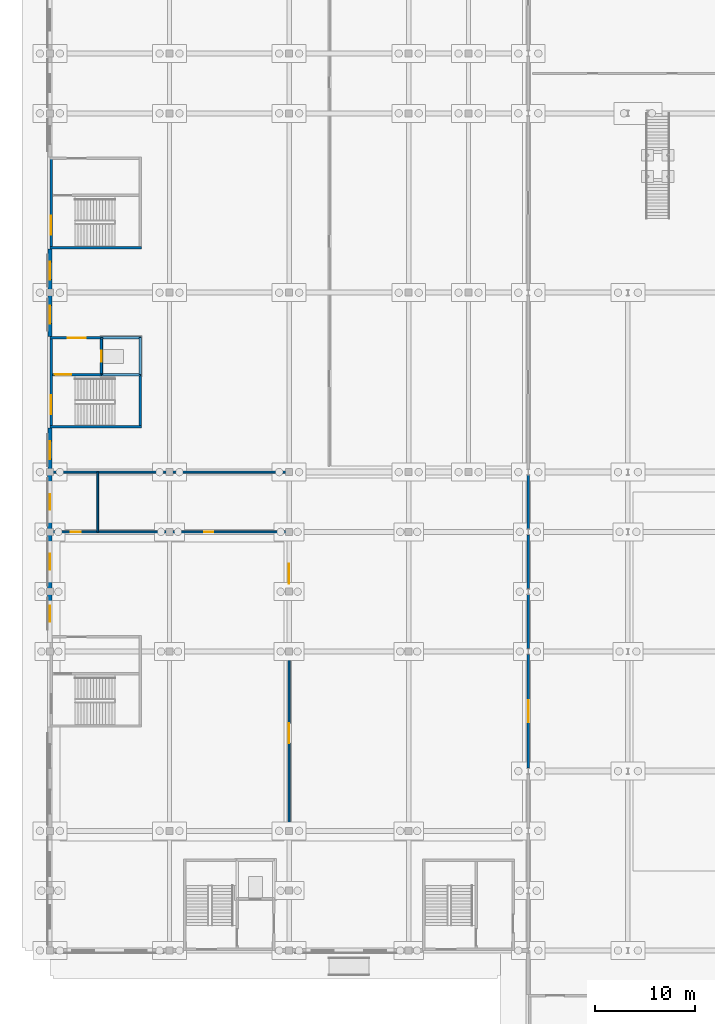
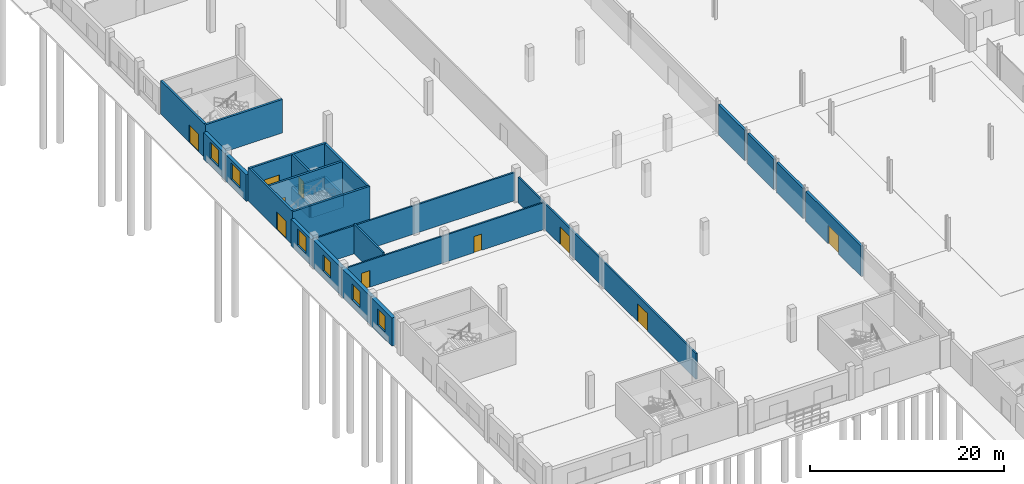
# One storey, part 55 of 77: 26 walls, 10 doors, 6 windows, 16 openings.
"""IFC4 building model written with IfcOpenShell, lengths in metres."""

from ifc_helpers import new_model, si_unit, direction, frame, frame_2d, origin, place, context, subcontext, project, spatial, rectangle, extrude, material, layer, layer_set, type_object, element, fill, save


model = new_model("IFC4")

# Units and contexts
model_context = context("Model", 3, precision=1e-05, world=origin(), true_north=direction((0.0, 1.0)))
body_context = subcontext(model_context, "Body", "Model", "MODEL_VIEW")
ifc_project = project(units=[si_unit("LENGTHUNIT", "METRE"), si_unit("AREAUNIT", "SQUARE_METRE"), si_unit("VOLUMEUNIT", "CUBIC_METRE"), si_unit("PLANEANGLEUNIT", "RADIAN"), si_unit("MASSUNIT", "GRAM", prefix="KILO")], contexts=[model_context])

# Site, building, storey
site_placement = place(None, origin())
site = spatial("IfcSite", under=ifc_project, at=site_placement, CompositionType="ELEMENT")
building_placement = place(site_placement, origin())
building = spatial("IfcBuilding", under=site, at=building_placement, Name="Zilviju Railside Exhibition Hall", CompositionType="ELEMENT")
storey_placement = place(building_placement, origin())
storey = spatial("IfcBuildingStorey", under=building, at=storey_placement, Name="L01", CompositionType="ELEMENT", Elevation=0.0)

# Wall, opening, door
ifc_material_1 = material(Name="Concrete C35/45", Category="concrete")
ifc_layer_1 = layer(ifc_material_1, 0.280029296875)
ifc_layer_set_1 = layer_set([ifc_layer_1], Name="Concrete C35/45")
wall_type_1 = type_object("IfcWallType", Name="WL-COMP-280", PredefinedType="SHEAR", material=ifc_layer_set_1)
wall_1_placement = place(storey_placement, frame((48.0, 54.302001953125, 0.0), z_axis=(0.0, 0.0, 1.0), x_axis=(0.0, 1.0, 0.0)))
wall_1 = element("IfcWall", 1, at=wall_1_placement, inside=storey, type_object=wall_type_1, Name="REI 180 Congress-Concourse Compartment Wall L01", PredefinedType="SHEAR", context=body_context, shape_type="SweptSolid", body=[
    extrude(rectangle(XDim=11.39599609375, YDim=0.280029296875, at=frame_2d((5.697998046875, 0.0))), origin(), (0.0, 0.0, 1.0), 3.800048828125),
])
opening_1_placement = place(wall_1_placement, frame((4.597900390625, 0.0, 0.0)))
opening_1 = element("IfcOpeningElement", 2, at=opening_1_placement, cuts=wall_1, Name="Opening FD-03", PredefinedType="OPENING", context=body_context, shape_type="SweptSolid", body=[
    extrude(rectangle(XDim=2.199951171875, YDim=2.300048828125, at=frame_2d((1.10009765625, 1.14990234375))), frame((0.0, 0.14990234375, 0.0), z_axis=(0.0, -1.0, 0.0), x_axis=(1.0, 0.0, 0.0)), (0.0, 0.0, 1.0), 0.300048828125),
])
ifc_material_2 = material(Name="Hold-open double compartment fire door EI 60", Category="wood")
door_type_1 = type_object("IfcDoorType", Name="DR-COMP-220x230", OperationType="NOTDEFINED", PredefinedType="DOOR", material=ifc_material_2)
door_1_placement = place(opening_1_placement, origin())
door_1 = element("IfcDoor", 3, at=door_1_placement, inside=storey, type_object=door_type_1, Name="Congress Link Fire Door L01", OperationType="DOUBLE_DOOR_SINGLE_SWING", OverallHeight=2.300048828125, OverallWidth=2.199951171875, PredefinedType="DOOR", context=body_context, shape_type="SweptSolid", body=[
    extrude(rectangle(XDim=2.199951171875, YDim=2.300048828125, at=frame_2d((1.10009765625, 1.14990234375))), frame((0.0, 0.02490234375, 0.0), z_axis=(0.0, -1.0, 0.0), x_axis=(1.0, 0.0, 0.0)), (0.0, 0.0, 1.0), 0.050048828125),
])
fill(opening_1, door_1)

# Walls
for number, where, z_axis, x_axis, name in (
    (4, (48.0, 66.302001953125, 0.0), (0.0, 0.0, 1.0), (0.0, 1.0, 0.0), "REI 180 Congress-Concourse Compartment Wall L01"),
    (5, (48.0, 72.302001953125, 0.0), (0.0, 0.0, 1.0), (0.0, 1.0, 0.0), "REI 180 Congress-Concourse Compartment Wall L01"),
    (6, (48.0, 78.302001953125, 0.0), (0.0, 0.0, 1.0), (0.0, 1.0, 0.0), "REI 180 Congress-Concourse Compartment Wall L01"),
):
    element("IfcWall", number, at=place(storey_placement, frame(where, z_axis=z_axis, x_axis=x_axis)), inside=storey, type_object=wall_type_1, Name=name, PredefinedType="SHEAR", context=body_context, shape_type="SweptSolid", body=[
        extrude(rectangle(XDim=5.39599609375, YDim=0.280029296875, at=frame_2d((2.697998046875, 0.0))), origin(), (0.0, 0.0, 1.0), 3.800048828125),
    ])
ifc_layer_2 = layer(ifc_material_1, 0.25)
ifc_layer_set_2 = layer_set([ifc_layer_2], Name="Concrete C35/45")
wall_type_2 = type_object("IfcWallType", Name="WL-CORE-250", PredefinedType="SHEAR", material=ifc_layer_set_2)
wall_2_placement = place(storey_placement, frame((0.0, 88.52490234375, 0.0), z_axis=(0.0, 0.0, 1.0), x_axis=(1.0, 0.0, 0.0)))
element("IfcWall", 7, at=wall_2_placement, inside=storey, type_object=wall_type_2, Name="Core C15 Organisers Wing South Stairwell Outer Wall L01", PredefinedType="SHEAR", context=body_context, shape_type="SweptSolid", body=[
    extrude(rectangle(XDim=9.199951171875, YDim=0.25, at=frame_2d((4.60009765625, 0.0))), origin(), (0.0, 0.0, 1.0), 4.199951171875),
])
wall_3_placement = place(storey_placement, frame((9.074951171875, 88.39990234375, 0.0), z_axis=(0.0, 0.0, 1.0), x_axis=(0.0, 1.0, 0.0)))
element("IfcWall", 8, at=wall_3_placement, inside=storey, type_object=wall_type_2, Name="Core C15 Organisers Wing South Core Rear Wall L01", PredefinedType="SHEAR", context=body_context, shape_type="SweptSolid", body=[
    extrude(rectangle(XDim=9.2001953125, YDim=0.25, at=frame_2d((4.60009765625, 0.0))), origin(), (0.0, 0.0, 1.0), 4.199951171875),
])

# Wall, opening, door
wall_4_placement = place(storey_placement, frame((0.0, 97.47509765625, 0.0), z_axis=(0.0, 0.0, 1.0), x_axis=(1.0, 0.0, 0.0)))
wall_4 = element("IfcWall", 9, at=wall_4_placement, inside=storey, type_object=wall_type_2, Name="Core C15 Organisers Wing South Lobby Side Wall L01", PredefinedType="SHEAR", context=body_context, shape_type="SweptSolid", body=[
    extrude(rectangle(XDim=9.199951171875, YDim=0.25, at=frame_2d((4.60009765625, 0.0))), origin(), (0.0, 0.0, 1.0), 4.199951171875),
])
opening_2_placement = place(wall_4_placement, frame((1.800048828125, 0.0, 0.0)))
opening_2 = element("IfcOpeningElement", 10, at=opening_2_placement, cuts=wall_4, Name="Opening FD-02", PredefinedType="OPENING", context=body_context, shape_type="SweptSolid", body=[
    extrude(rectangle(XDim=1.800048828125, YDim=2.14990234375, at=frame_2d((0.89990234375, 1.074951171875))), frame((0.0, 0.135009765625, 0.0), z_axis=(0.0, -1.0, 0.0), x_axis=(1.0, 0.0, 0.0)), (0.0, 0.0, 1.0), 0.27001953125),
])
ifc_material_3 = material(Name="Self-closing glazed steel core lobby fire door EI 60", Category="steel")
door_type_2 = type_object("IfcDoorType", Name="DR-LOBBY-180x215", OperationType="NOTDEFINED", PredefinedType="DOOR", material=ifc_material_3)
door_2_placement = place(opening_2_placement, origin())
door_2 = element("IfcDoor", 11, at=door_2_placement, inside=storey, type_object=door_type_2, Name="Core C15 Organisers Wing South Lobby Fire Door L01", OperationType="DOUBLE_DOOR_SINGLE_SWING", OverallHeight=2.14990234375, OverallWidth=1.800048828125, PredefinedType="DOOR", context=body_context, shape_type="SweptSolid", body=[
    extrude(rectangle(XDim=1.800048828125, YDim=2.14990234375, at=frame_2d((0.89990234375, 1.074951171875))), frame((0.0, 0.02490234375, 0.0), z_axis=(0.0, -1.0, 0.0), x_axis=(1.0, 0.0, 0.0)), (0.0, 0.0, 1.0), 0.050048828125),
])
fill(opening_2, door_2)

wall_5_placement = place(storey_placement, frame((0.25, 93.77490234375, 0.0), z_axis=(0.0, 0.0, 1.0), x_axis=(1.0, 0.0, 0.0)))
wall_5 = element("IfcWall", 12, at=wall_5_placement, inside=storey, type_object=wall_type_2, Name="Core C15 Organisers Wing South Stairwell Partition Wall L01", PredefinedType="SHEAR", context=body_context, shape_type="SweptSolid", body=[
    extrude(rectangle(XDim=8.699951171875, YDim=0.25, at=frame_2d((4.35009765625, 0.0))), origin(), (0.0, 0.0, 1.0), 4.199951171875),
])
opening_3_placement = place(wall_5_placement, frame((0.25, 0.0, 0.0)))
opening_3 = element("IfcOpeningElement", 13, at=opening_3_placement, cuts=wall_5, Name="Opening FD-01", PredefinedType="OPENING", context=body_context, shape_type="SweptSolid", body=[
    extrude(rectangle(XDim=1.64990234375, YDim=2.10009765625, at=frame_2d((0.824951171875, 1.050048828125))), frame((0.0, 0.135009765625, 0.0), z_axis=(0.0, -1.0, 0.0), x_axis=(1.0, 0.0, 0.0)), (0.0, 0.0, 1.0), 0.27001953125),
])
ifc_material_4 = material(Name="Self-closing steel stair enclosure fire door EI 60", Category="steel")
door_type_3 = type_object("IfcDoorType", Name="DR-STAIR-165x210", OperationType="NOTDEFINED", PredefinedType="DOOR", material=ifc_material_4)
door_3_placement = place(opening_3_placement, origin())
door_3 = element("IfcDoor", 14, at=door_3_placement, inside=storey, type_object=door_type_3, Name="Core C15 Organisers Wing South Protected Stair Door L01", OperationType="SINGLE_SWING_LEFT", OverallHeight=2.10009765625, OverallWidth=1.64990234375, PredefinedType="DOOR", context=body_context, shape_type="SweptSolid", body=[
    extrude(rectangle(XDim=1.64990234375, YDim=2.10009765625, at=frame_2d((0.824951171875, 1.050048828125))), frame((0.0, 0.02490234375, 0.0), z_axis=(0.0, -1.0, 0.0), x_axis=(1.0, 0.0, 0.0)), (0.0, 0.0, 1.0), 0.050048828125),
])
fill(opening_3, door_3)

wall_6_placement = place(storey_placement, frame((5.175048828125, 93.89990234375, 0.0), z_axis=(0.0, 0.0, 1.0), x_axis=(0.0, 1.0, 0.0)))
wall_6 = element("IfcWall", 15, at=wall_6_placement, inside=storey, type_object=wall_type_2, Name="Core C15 Organisers Wing South Lift Shaft Front Wall L01", PredefinedType="SHEAR", context=body_context, shape_type="SweptSolid", body=[
    extrude(rectangle(XDim=3.4501953125, YDim=0.25, at=frame_2d((1.72509765625, 0.0))), origin(), (0.0, 0.0, 1.0), 4.199951171875),
])
opening_4_placement = place(wall_6_placement, frame((1.175048828125, 0.0, 0.0)))
opening_4 = element("IfcOpeningElement", 16, at=opening_4_placement, cuts=wall_6, Name="Opening LD-01", PredefinedType="OPENING", context=body_context, shape_type="SweptSolid", body=[
    extrude(rectangle(XDim=1.10009765625, YDim=2.10009765625, at=frame_2d((0.550048828125, 1.050048828125))), frame((0.0, 0.135009765625, 0.0), z_axis=(0.0, -1.0, 0.0), x_axis=(1.0, 0.0, 0.0)), (0.0, 0.0, 1.0), 0.27001953125),
])
ifc_material_5 = material(Name="Passenger lift sliding landing door EI 60", Category="wood")
door_type_4 = type_object("IfcDoorType", Name="DR-LIFT-110x210", OperationType="NOTDEFINED", PredefinedType="DOOR", material=ifc_material_5)
door_4_placement = place(opening_4_placement, origin())
door_4 = element("IfcDoor", 17, at=door_4_placement, inside=storey, type_object=door_type_4, Name="Lift Landing Door LP-06 L01", OperationType="SLIDING_TO_LEFT", OverallHeight=2.10009765625, OverallWidth=1.10009765625, PredefinedType="DOOR", context=body_context, shape_type="SweptSolid", body=[
    extrude(rectangle(XDim=1.10009765625, YDim=2.10009765625, at=frame_2d((0.550048828125, 1.050048828125))), frame((0.0, 0.02490234375, 0.0), z_axis=(0.0, -1.0, 0.0), x_axis=(1.0, 0.0, 0.0)), (0.0, 0.0, 1.0), 0.050048828125),
])
fill(opening_4, door_4)

# Walls
wall_7_placement = place(storey_placement, frame((0.0, 106.52490234375, 0.0), z_axis=(0.0, 0.0, 1.0), x_axis=(1.0, 0.0, 0.0)))
element("IfcWall", 18, at=wall_7_placement, inside=storey, type_object=wall_type_2, Name="Core C16 Organisers Wing North Stairwell Outer Wall L01", PredefinedType="SHEAR", context=body_context, shape_type="SweptSolid", body=[
    extrude(rectangle(XDim=9.199951171875, YDim=0.25, at=frame_2d((4.60009765625, 0.0))), origin(), (0.0, 0.0, 1.0), 4.199951171875),
])
ifc_material_6 = material(Name="Concrete C40/50", Category="concrete")
ifc_layer_3 = layer(ifc_material_6, 0.25)
ifc_layer_set_3 = layer_set([ifc_layer_3], Name="Concrete C40/50")
wall_type_3 = type_object("IfcWallType", Name="WL-CORE-300", PredefinedType="SHEAR", material=ifc_layer_set_3)
wall_8_placement = place(storey_placement, frame((5.179931640625, 93.780029296875, -1.60009765625), z_axis=(0.0, 0.0, 1.0), x_axis=(0.0, 1.0, 0.0)))
element("IfcWall", 19, at=wall_8_placement, inside=storey, type_object=wall_type_3, Name="Core C15 Organisers Wing South Lift Pit Wall 1", PredefinedType="SHEAR", context=body_context, shape_type="SweptSolid", body=[
    extrude(rectangle(XDim=3.699951171875, YDim=0.25, at=frame_2d((1.85009765625, 0.0))), origin(), (0.0, 0.0, 1.0), 1.60009765625),
])
wall_9_placement = place(storey_placement, frame((5.179931640625, 97.47998046875, -1.60009765625), z_axis=(0.0, 0.0, 1.0), x_axis=(1.0, 0.0, 0.0)))
element("IfcWall", 20, at=wall_9_placement, inside=storey, type_object=wall_type_3, Name="Core C15 Organisers Wing South Lift Pit Wall 2", PredefinedType="SHEAR", context=body_context, shape_type="SweptSolid", body=[
    extrude(rectangle(XDim=3.900146484375, YDim=0.25, at=frame_2d((1.9501953125, 0.0))), origin(), (0.0, 0.0, 1.0), 1.60009765625),
])
wall_10_placement = place(storey_placement, frame((9.080078125, 97.47998046875, -1.60009765625), z_axis=(0.0, 0.0, 1.0), x_axis=(0.0, -1.0, 0.0)))
element("IfcWall", 21, at=wall_10_placement, inside=storey, type_object=wall_type_3, Name="Core C15 Organisers Wing South Lift Pit Wall 3", PredefinedType="SHEAR", context=body_context, shape_type="SweptSolid", body=[
    extrude(rectangle(XDim=3.699951171875, YDim=0.25, at=frame_2d((1.85009765625, 0.0))), origin(), (0.0, 0.0, 1.0), 1.60009765625),
])
wall_11_placement = place(storey_placement, frame((9.080078125, 93.780029296875, -1.60009765625), z_axis=(0.0, 0.0, 1.0), x_axis=(-1.0, 0.0, 0.0)))
element("IfcWall", 22, at=wall_11_placement, inside=storey, type_object=wall_type_3, Name="Core C15 Organisers Wing South Lift Pit Wall 4", PredefinedType="SHEAR", context=body_context, shape_type="SweptSolid", body=[
    extrude(rectangle(XDim=3.900146484375, YDim=0.25, at=frame_2d((1.9501953125, 0.0))), origin(), (0.0, 0.0, 1.0), 1.60009765625),
])

# Wall, opening, door
wall_12_placement = place(storey_placement, frame((0.125, 88.39990234375, 0.0), z_axis=(0.0, 0.0, 1.0), x_axis=(0.0, 1.0, 0.0)))
wall_12 = element("IfcWall", 23, at=wall_12_placement, inside=storey, type_object=wall_type_3, Name="Core C15 Organisers Wing South Exterior Core Wall L01", PredefinedType="SHEAR", context=body_context, shape_type="SweptSolid", body=[
    extrude(rectangle(XDim=9.2001953125, YDim=0.25, at=frame_2d((4.60009765625, 0.0))), origin(), (0.0, 0.0, 1.0), 4.199951171875),
])
opening_5_placement = place(wall_12_placement, frame((1.39990234375, 0.0, 0.0)))
opening_5 = element("IfcOpeningElement", 24, at=opening_5_placement, cuts=wall_12, Name="Opening ED-02", PredefinedType="OPENING", context=body_context, shape_type="SweptSolid", body=[
    extrude(rectangle(XDim=1.89990234375, YDim=2.199951171875, at=frame_2d((0.949951171875, 1.10009765625))), frame((0.0, 0.135009765625, 0.0), z_axis=(0.0, -1.0, 0.0), x_axis=(1.0, 0.0, 0.0)), (0.0, 0.0, 1.0), 0.27001953125),
])
ifc_material_7 = material(Name="Insulated aluminium stair discharge door", Category="aluminium")
door_type_5 = type_object("IfcDoorType", Name="DR-EXT-EXIT-190x220", OperationType="NOTDEFINED", PredefinedType="DOOR", material=ifc_material_7)
door_5_placement = place(opening_5_placement, origin())
door_5 = element("IfcDoor", 25, at=door_5_placement, inside=storey, type_object=door_type_5, Name="Core C15 Organisers Wing South Exit Stair Discharge Door ED-C15", OperationType="DOUBLE_DOOR_SINGLE_SWING", OverallHeight=2.199951171875, OverallWidth=1.89990234375, PredefinedType="DOOR", context=body_context, shape_type="SweptSolid", body=[
    extrude(rectangle(XDim=1.89990234375, YDim=2.199951171875, at=frame_2d((0.949951171875, 1.10009765625))), frame((0.0, 0.02490234375, 0.0), z_axis=(0.0, -1.0, 0.0), x_axis=(1.0, 0.0, 0.0)), (0.0, 0.0, 1.0), 0.050048828125),
])
fill(opening_5, door_5)

wall_13_placement = place(storey_placement, frame((0.125, 106.39990234375, 0.0), z_axis=(0.0, 0.0, 1.0), x_axis=(0.0, 1.0, 0.0)))
wall_13 = element("IfcWall", 26, at=wall_13_placement, inside=storey, type_object=wall_type_3, Name="Core C16 Organisers Wing North Exterior Core Wall L01", PredefinedType="SHEAR", context=body_context, shape_type="SweptSolid", body=[
    extrude(rectangle(XDim=9.2001953125, YDim=0.25, at=frame_2d((4.60009765625, 0.0))), origin(), (0.0, 0.0, 1.0), 4.199951171875),
])
opening_6_placement = place(wall_13_placement, frame((1.39990234375, 0.0, 0.0)))
opening_6 = element("IfcOpeningElement", 27, at=opening_6_placement, cuts=wall_13, Name="Opening ED-02", PredefinedType="OPENING", context=body_context, shape_type="SweptSolid", body=[
    extrude(rectangle(XDim=1.89990234375, YDim=2.199951171875, at=frame_2d((0.949951171875, 1.10009765625))), frame((0.0, 0.135009765625, 0.0), z_axis=(0.0, -1.0, 0.0), x_axis=(1.0, 0.0, 0.0)), (0.0, 0.0, 1.0), 0.27001953125),
])
door_6_placement = place(opening_6_placement, origin())
door_6 = element("IfcDoor", 28, at=door_6_placement, inside=storey, type_object=door_type_5, Name="Core C16 Organisers Wing North Exit Stair Discharge Door ED-C16", OperationType="DOUBLE_DOOR_SINGLE_SWING", OverallHeight=2.199951171875, OverallWidth=1.89990234375, PredefinedType="DOOR", context=body_context, shape_type="SweptSolid", body=[
    extrude(rectangle(XDim=1.89990234375, YDim=2.199951171875, at=frame_2d((0.949951171875, 1.10009765625))), frame((0.0, 0.02490234375, 0.0), z_axis=(0.0, -1.0, 0.0), x_axis=(1.0, 0.0, 0.0)), (0.0, 0.0, 1.0), 0.050048828125),
])
fill(opening_6, door_6)

# Wall, opening, window
ifc_material_8 = material(Name="Insulated Jugendstils ochre brick facade wall", Category="masonry")
ifc_layer_4 = layer(ifc_material_8, 0.419921875)
ifc_layer_set_4 = layer_set([ifc_layer_4], Name="Insulated Jugendstils ochre brick facade wall")
wall_type_4 = type_object("IfcWallType", Name="WL-EXT-420", PredefinedType="SOLIDWALL", material=ifc_layer_set_4)
wall_14_placement = place(storey_placement, frame((0.0, 84.0, 0.0), z_axis=(0.0, 0.0, 1.0), x_axis=(0.0, 1.0, 0.0)))
wall_14 = element("IfcWall", 29, at=wall_14_placement, inside=storey, type_object=wall_type_4, Name="Exterior Facade Wall L01 West 0466", PredefinedType="SOLIDWALL", context=body_context, shape_type="SweptSolid", body=[
    extrude(rectangle(XDim=4.39990234375, YDim=0.419921875, at=frame_2d((2.199951171875, 0.0))), origin(), (0.0, 0.0, 1.0), 3.340087890625),
])
opening_7_placement = place(wall_14_placement, frame((1.300048828125, 0.0, 0.89990234375)))
opening_7 = element("IfcOpeningElement", 30, at=opening_7_placement, cuts=wall_14, Name="Opening WN-01", PredefinedType="OPENING", context=body_context, shape_type="SweptSolid", body=[
    extrude(rectangle(XDim=1.800048828125, YDim=2.050048828125, at=frame_2d((0.89990234375, 1.02490234375))), frame((0.0, 0.219970703125, 0.0), z_axis=(0.0, -1.0, 0.0), x_axis=(1.0, 0.0, 0.0)), (0.0, 0.0, 1.0), 0.43994140625),
])
ifc_material_9 = material(Name="Triple-glazed timber-aluminium window unit", Category="wood")
window_type_1 = type_object("IfcWindowType", Name="WIN-JUG-180x205", PartitioningType="DOUBLE_PANEL_VERTICAL", PredefinedType="WINDOW", material=ifc_material_9)
window_1_placement = place(opening_7_placement, origin())
window_1 = element("IfcWindow", 31, at=window_1_placement, inside=storey, type_object=window_type_1, Name="Facade Window L01 WN-0038", OverallHeight=2.050048828125, OverallWidth=1.800048828125, PartitioningType="SINGLE_PANEL", PredefinedType="WINDOW", context=body_context, shape_type="SweptSolid", body=[
    extrude(rectangle(XDim=1.800048828125, YDim=2.050048828125, at=frame_2d((0.89990234375, 1.02490234375))), frame((0.0, 0.030029296875, 0.0), z_axis=(0.0, -1.0, 0.0), x_axis=(1.0, 0.0, 0.0)), (0.0, 0.0, 1.0), 0.06005859375),
])
fill(opening_7, window_1)

wall_15_placement = place(storey_placement, frame((0.0, 97.60009765625, 0.0), z_axis=(0.0, 0.0, 1.0), x_axis=(0.0, 1.0, 0.0)))
wall_15 = element("IfcWall", 32, at=wall_15_placement, inside=storey, type_object=wall_type_4, Name="Exterior Facade Wall L01 West 0467", PredefinedType="SOLIDWALL", context=body_context, shape_type="SweptSolid", body=[
    extrude(rectangle(XDim=4.39990234375, YDim=0.419921875, at=frame_2d((2.199951171875, 0.0))), origin(), (0.0, 0.0, 1.0), 3.340087890625),
])
opening_8_placement = place(wall_15_placement, frame((1.300048828125, 0.0, 0.89990234375)))
opening_8 = element("IfcOpeningElement", 33, at=opening_8_placement, cuts=wall_15, Name="Opening WN-01", PredefinedType="OPENING", context=body_context, shape_type="SweptSolid", body=[
    extrude(rectangle(XDim=1.800048828125, YDim=2.050048828125, at=frame_2d((0.89990234375, 1.02490234375))), frame((0.0, 0.219970703125, 0.0), z_axis=(0.0, -1.0, 0.0), x_axis=(1.0, 0.0, 0.0)), (0.0, 0.0, 1.0), 0.43994140625),
])
window_2_placement = place(opening_8_placement, origin())
window_2 = element("IfcWindow", 34, at=window_2_placement, inside=storey, type_object=window_type_1, Name="Facade Window L01 WN-0039", OverallHeight=2.050048828125, OverallWidth=1.800048828125, PartitioningType="SINGLE_PANEL", PredefinedType="WINDOW", context=body_context, shape_type="SweptSolid", body=[
    extrude(rectangle(XDim=1.800048828125, YDim=2.050048828125, at=frame_2d((0.89990234375, 1.02490234375))), frame((0.0, 0.030029296875, 0.0), z_axis=(0.0, -1.0, 0.0), x_axis=(1.0, 0.0, 0.0)), (0.0, 0.0, 1.0), 0.06005859375),
])
fill(opening_8, window_2)

wall_16_placement = place(storey_placement, frame((0.0, 102.0, 0.0), z_axis=(0.0, 0.0, 1.0), x_axis=(0.0, 1.0, 0.0)))
wall_16 = element("IfcWall", 35, at=wall_16_placement, inside=storey, type_object=wall_type_4, Name="Exterior Facade Wall L01 West 0468", PredefinedType="SOLIDWALL", context=body_context, shape_type="SweptSolid", body=[
    extrude(rectangle(XDim=4.39990234375, YDim=0.419921875, at=frame_2d((2.199951171875, 0.0))), origin(), (0.0, 0.0, 1.0), 3.35009765625),
])
opening_9_placement = place(wall_16_placement, frame((1.300048828125, 0.0, 0.89990234375)))
opening_9 = element("IfcOpeningElement", 36, at=opening_9_placement, cuts=wall_16, Name="Opening WN-01", PredefinedType="OPENING", context=body_context, shape_type="SweptSolid", body=[
    extrude(rectangle(XDim=1.800048828125, YDim=2.050048828125, at=frame_2d((0.89990234375, 1.02490234375))), frame((0.0, 0.219970703125, 0.0), z_axis=(0.0, -1.0, 0.0), x_axis=(1.0, 0.0, 0.0)), (0.0, 0.0, 1.0), 0.43994140625),
])
window_3_placement = place(opening_9_placement, origin())
window_3 = element("IfcWindow", 37, at=window_3_placement, inside=storey, type_object=window_type_1, Name="Facade Window L01 WN-0040", OverallHeight=2.050048828125, OverallWidth=1.800048828125, PartitioningType="SINGLE_PANEL", PredefinedType="WINDOW", context=body_context, shape_type="SweptSolid", body=[
    extrude(rectangle(XDim=1.800048828125, YDim=2.050048828125, at=frame_2d((0.89990234375, 1.02490234375))), frame((0.0, 0.030029296875, 0.0), z_axis=(0.0, -1.0, 0.0), x_axis=(1.0, 0.0, 0.0)), (0.0, 0.0, 1.0), 0.06005859375),
])
fill(opening_9, window_3)

ifc_material_10 = material(Name="Insulated Staburags travertine masonry wall", Category="masonry")
ifc_layer_5 = layer(ifc_material_10, 0.449951171875)
ifc_layer_set_5 = layer_set([ifc_layer_5], Name="Insulated Staburags travertine masonry wall")
wall_type_5 = type_object("IfcWallType", Name="WL-EXT-450", PredefinedType="SOLIDWALL", material=ifc_layer_set_5)
wall_17_placement = place(storey_placement, frame((0.0, 67.60009765625, 0.0), z_axis=(0.0, 0.0, 1.0), x_axis=(0.0, 1.0, 0.0)))
wall_17 = element("IfcWall", 38, at=wall_17_placement, inside=storey, type_object=wall_type_5, Name="Exterior Facade Wall L01 West 0430", PredefinedType="SOLIDWALL", context=body_context, shape_type="SweptSolid", body=[
    extrude(rectangle(XDim=4.39990234375, YDim=0.449951171875, at=frame_2d((2.199951171875, 0.0))), origin(), (0.0, 0.0, 1.0), 3.550048828125),
])
opening_10_placement = place(wall_17_placement, frame((1.39990234375, 0.0, 0.89990234375)))
opening_10 = element("IfcOpeningElement", 39, at=opening_10_placement, cuts=wall_17, Name="Opening WN-02", PredefinedType="OPENING", context=body_context, shape_type="SweptSolid", body=[
    extrude(rectangle(XDim=1.60009765625, YDim=2.0, at=frame_2d((0.800048828125, 1.0))), frame((0.0, 0.23486328125, 0.0), z_axis=(0.0, -1.0, 0.0), x_axis=(1.0, 0.0, 0.0)), (0.0, 0.0, 1.0), 0.469970703125),
])
window_type_2 = type_object("IfcWindowType", Name="WIN-JUG-160x200", PartitioningType="DOUBLE_PANEL_VERTICAL", PredefinedType="WINDOW", material=ifc_material_9)
window_4_placement = place(opening_10_placement, origin())
window_4 = element("IfcWindow", 40, at=window_4_placement, inside=storey, type_object=window_type_2, Name="Facade Window L01 WN-0024", OverallHeight=2.0, OverallWidth=1.60009765625, PartitioningType="SINGLE_PANEL", PredefinedType="WINDOW", context=body_context, shape_type="SweptSolid", body=[
    extrude(rectangle(XDim=1.60009765625, YDim=2.0, at=frame_2d((0.800048828125, 1.0))), frame((0.0, 0.030029296875, 0.0), z_axis=(0.0, -1.0, 0.0), x_axis=(1.0, 0.0, 0.0)), (0.0, 0.0, 1.0), 0.06005859375),
])
fill(opening_10, window_4)

wall_18_placement = place(storey_placement, frame((0.0, 72.0, 0.0), z_axis=(0.0, 0.0, 1.0), x_axis=(0.0, 1.0, 0.0)))
wall_18 = element("IfcWall", 41, at=wall_18_placement, inside=storey, type_object=wall_type_5, Name="Exterior Facade Wall L01 West 0431", PredefinedType="SOLIDWALL", context=body_context, shape_type="SweptSolid", body=[
    extrude(rectangle(XDim=6.0, YDim=0.449951171875, at=frame_2d((3.0, 0.0))), origin(), (0.0, 0.0, 1.0), 3.550048828125),
])
opening_11_placement = place(wall_18_placement, frame((2.199951171875, 0.0, 0.89990234375)))
opening_11 = element("IfcOpeningElement", 42, at=opening_11_placement, cuts=wall_18, Name="Opening WN-02", PredefinedType="OPENING", context=body_context, shape_type="SweptSolid", body=[
    extrude(rectangle(XDim=1.60009765625, YDim=2.0, at=frame_2d((0.800048828125, 1.0))), frame((0.0, 0.23486328125, 0.0), z_axis=(0.0, -1.0, 0.0), x_axis=(1.0, 0.0, 0.0)), (0.0, 0.0, 1.0), 0.469970703125),
])
window_5_placement = place(opening_11_placement, origin())
window_5 = element("IfcWindow", 43, at=window_5_placement, inside=storey, type_object=window_type_2, Name="Facade Window L01 WN-0025", OverallHeight=2.0, OverallWidth=1.60009765625, PartitioningType="SINGLE_PANEL", PredefinedType="WINDOW", context=body_context, shape_type="SweptSolid", body=[
    extrude(rectangle(XDim=1.60009765625, YDim=2.0, at=frame_2d((0.800048828125, 1.0))), frame((0.0, 0.030029296875, 0.0), z_axis=(0.0, -1.0, 0.0), x_axis=(1.0, 0.0, 0.0)), (0.0, 0.0, 1.0), 0.06005859375),
])
fill(opening_11, window_5)

wall_19_placement = place(storey_placement, frame((0.0, 78.0, 0.0), z_axis=(0.0, 0.0, 1.0), x_axis=(0.0, 1.0, 0.0)))
wall_19 = element("IfcWall", 44, at=wall_19_placement, inside=storey, type_object=wall_type_5, Name="Exterior Facade Wall L01 West 0432", PredefinedType="SOLIDWALL", context=body_context, shape_type="SweptSolid", body=[
    extrude(rectangle(XDim=6.0, YDim=0.449951171875, at=frame_2d((3.0, 0.0))), origin(), (0.0, 0.0, 1.0), 3.550048828125),
])
opening_12_placement = place(wall_19_placement, frame((2.199951171875, 0.0, 0.89990234375)))
opening_12 = element("IfcOpeningElement", 45, at=opening_12_placement, cuts=wall_19, Name="Opening WN-02", PredefinedType="OPENING", context=body_context, shape_type="SweptSolid", body=[
    extrude(rectangle(XDim=1.60009765625, YDim=2.0, at=frame_2d((0.800048828125, 1.0))), frame((0.0, 0.23486328125, 0.0), z_axis=(0.0, -1.0, 0.0), x_axis=(1.0, 0.0, 0.0)), (0.0, 0.0, 1.0), 0.469970703125),
])
window_6_placement = place(opening_12_placement, origin())
window_6 = element("IfcWindow", 46, at=window_6_placement, inside=storey, type_object=window_type_2, Name="Facade Window L01 WN-0026", OverallHeight=2.0, OverallWidth=1.60009765625, PartitioningType="SINGLE_PANEL", PredefinedType="WINDOW", context=body_context, shape_type="SweptSolid", body=[
    extrude(rectangle(XDim=1.60009765625, YDim=2.0, at=frame_2d((0.800048828125, 1.0))), frame((0.0, 0.030029296875, 0.0), z_axis=(0.0, -1.0, 0.0), x_axis=(1.0, 0.0, 0.0)), (0.0, 0.0, 1.0), 0.06005859375),
])
fill(opening_12, window_6)

# Wall, openings, doors
ifc_material_11 = material(Name="Double-stud acoustic gypsum partition wall", Category="masonry")
ifc_layer_6 = layer(ifc_material_11, 0.199951171875)
ifc_layer_set_6 = layer_set([ifc_layer_6], Name="Double-stud acoustic gypsum partition wall")
wall_type_6 = type_object("IfcWallType", Name="WL-PART-200", PredefinedType="PARTITIONING", material=ifc_layer_set_6)
wall_20_placement = place(storey_placement, frame((24.0, 46.800048828125, 0.0), z_axis=(0.0, 0.0, 1.0), x_axis=(0.0, 1.0, 0.0)))
wall_20 = element("IfcWall", 47, at=wall_20_placement, inside=storey, type_object=wall_type_6, Name="Symposium Hall Acoustic Partition", PredefinedType="PARTITIONING", context=body_context, shape_type="SweptSolid", body=[
    extrude(rectangle(XDim=36.599853515625, YDim=0.199951171875, at=frame_2d((18.2998046875, 0.0))), origin(), (0.0, 0.0, 1.0), 3.239990234375),
])
opening_13_placement = place(wall_20_placement, frame((10.0, 0.0, 0.0)))
opening_13 = element("IfcOpeningElement", 48, at=opening_13_placement, cuts=wall_20, Name="Opening AD-01", PredefinedType="OPENING", context=body_context, shape_type="SweptSolid", body=[
    extrude(rectangle(XDim=2.0, YDim=2.25, at=frame_2d((1.0, 1.125))), frame((0.0, 0.10986328125, 0.0), z_axis=(0.0, -1.0, 0.0), x_axis=(1.0, 0.0, 0.0)), (0.0, 0.0, 1.0), 0.219970703125),
])
opening_14_placement = place(wall_20_placement, frame((26.0, 0.0, 0.0)))
opening_14 = element("IfcOpeningElement", 49, at=opening_14_placement, cuts=wall_20, Name="Opening AD-01", PredefinedType="OPENING", context=body_context, shape_type="SweptSolid", body=[
    extrude(rectangle(XDim=2.0, YDim=2.25, at=frame_2d((1.0, 1.125))), frame((0.0, 0.10986328125, 0.0), z_axis=(0.0, -1.0, 0.0), x_axis=(1.0, 0.0, 0.0)), (0.0, 0.0, 1.0), 0.219970703125),
])
ifc_material_12 = material(Name="Acoustic oak auditorium double door", Category="wood")
door_type_6 = type_object("IfcDoorType", Name="DR-AUD-200x225", OperationType="NOTDEFINED", PredefinedType="DOOR", material=ifc_material_12)
door_7_placement = place(opening_13_placement, origin())
door_7 = element("IfcDoor", 50, at=door_7_placement, inside=storey, type_object=door_type_6, Name="Symposium Hall South Entry", OperationType="DOUBLE_DOOR_SINGLE_SWING", OverallHeight=2.25, OverallWidth=2.0, PredefinedType="DOOR", context=body_context, shape_type="SweptSolid", body=[
    extrude(rectangle(XDim=2.0, YDim=2.25, at=frame_2d((1.0, 1.125))), frame((0.0, 0.02490234375, 0.0), z_axis=(0.0, -1.0, 0.0), x_axis=(1.0, 0.0, 0.0)), (0.0, 0.0, 1.0), 0.050048828125),
])
fill(opening_13, door_7)
door_8_placement = place(opening_14_placement, origin())
door_8 = element("IfcDoor", 51, at=door_8_placement, inside=storey, type_object=door_type_6, Name="Symposium Hall North Entry", OperationType="DOUBLE_DOOR_SINGLE_SWING", OverallHeight=2.25, OverallWidth=2.0, PredefinedType="DOOR", context=body_context, shape_type="SweptSolid", body=[
    extrude(rectangle(XDim=2.0, YDim=2.25, at=frame_2d((1.0, 1.125))), frame((0.0, 0.02490234375, 0.0), z_axis=(0.0, -1.0, 0.0), x_axis=(1.0, 0.0, 0.0)), (0.0, 0.0, 1.0), 0.050048828125),
])
fill(opening_14, door_8)

ifc_material_13 = material(Name="Accessible WC sanitary chase wall", Category="masonry")
ifc_layer_7 = layer(ifc_material_13, 0.18994140625)
ifc_layer_set_7 = layer_set([ifc_layer_7], Name="Accessible WC sanitary chase wall")
wall_type_7 = type_object("IfcWallType", Name="WL-PLMB-190", PredefinedType="PLUMBINGWALL", material=ifc_layer_set_7)
wall_21_placement = place(storey_placement, frame((0.300048828125, 78.0, 0.0), z_axis=(0.0, 0.0, 1.0), x_axis=(1.0, 0.0, 0.0)))
wall_21 = element("IfcWall", 52, at=wall_21_placement, inside=storey, type_object=wall_type_7, Name="Congress L01 WC Wall", PredefinedType="PLUMBINGWALL", context=body_context, shape_type="SweptSolid", body=[
    extrude(rectangle(XDim=23.5, YDim=0.18994140625, at=frame_2d((11.75, 0.0))), origin(), (0.0, 0.0, 1.0), 3.389892578125),
])
opening_15_placement = place(wall_21_placement, frame((1.800048828125, 0.0, 0.0)))
opening_15 = element("IfcOpeningElement", 53, at=opening_15_placement, cuts=wall_21, Name="Opening WD-01", PredefinedType="OPENING", context=body_context, shape_type="SweptSolid", body=[
    extrude(rectangle(XDim=1.0, YDim=2.10009765625, at=frame_2d((0.5, 1.050048828125))), frame((0.0, 0.10498046875, 0.0), z_axis=(0.0, -1.0, 0.0), x_axis=(1.0, 0.0, 0.0)), (0.0, 0.0, 1.0), 0.2099609375),
])
opening_16_placement = place(wall_21_placement, frame((15.199951171875, 0.0, 0.0)))
opening_16 = element("IfcOpeningElement", 54, at=opening_16_placement, cuts=wall_21, Name="Opening WD-02", PredefinedType="OPENING", context=body_context, shape_type="SweptSolid", body=[
    extrude(rectangle(XDim=0.89990234375, YDim=2.050048828125, at=frame_2d((0.449951171875, 1.02490234375))), frame((0.0, 0.10498046875, 0.0), z_axis=(0.0, -1.0, 0.0), x_axis=(1.0, 0.0, 0.0)), (0.0, 0.0, 1.0), 0.2099609375),
])
ifc_material_14 = material(Name="Accessible WC outward-opening door", Category="wood")
door_type_7 = type_object("IfcDoorType", Name="DR-WC-ACC-100x210", OperationType="NOTDEFINED", PredefinedType="DOOR", material=ifc_material_14)
door_9_placement = place(opening_15_placement, origin())
door_9 = element("IfcDoor", 55, at=door_9_placement, inside=storey, type_object=door_type_7, Name="Congress L01 Accessible WC Door", OperationType="SINGLE_SWING_RIGHT", OverallHeight=2.10009765625, OverallWidth=1.0, PredefinedType="DOOR", context=body_context, shape_type="SweptSolid", body=[
    extrude(rectangle(XDim=1.0, YDim=2.10009765625, at=frame_2d((0.5, 1.050048828125))), frame((0.0, 0.02490234375, 0.0), z_axis=(0.0, -1.0, 0.0), x_axis=(1.0, 0.0, 0.0)), (0.0, 0.0, 1.0), 0.050048828125),
])
fill(opening_15, door_9)
ifc_material_15 = material(Name="Sanitary washroom timber door", Category="wood")
door_type_8 = type_object("IfcDoorType", Name="DR-WC-STD-090x205", OperationType="NOTDEFINED", PredefinedType="DOOR", material=ifc_material_15)
door_10_placement = place(opening_16_placement, origin())
door_10 = element("IfcDoor", 56, at=door_10_placement, inside=storey, type_object=door_type_8, Name="Congress L01 Toilets Door", OperationType="SINGLE_SWING_LEFT", OverallHeight=2.050048828125, OverallWidth=0.89990234375, PredefinedType="DOOR", context=body_context, shape_type="SweptSolid", body=[
    extrude(rectangle(XDim=0.89990234375, YDim=2.050048828125, at=frame_2d((0.449951171875, 1.02490234375))), frame((0.0, 0.02490234375, 0.0), z_axis=(0.0, -1.0, 0.0), x_axis=(1.0, 0.0, 0.0)), (0.0, 0.0, 1.0), 0.050048828125),
])
fill(opening_16, door_10)

# Walls
wall_22_placement = place(storey_placement, frame((0.300048828125, 84.0, 0.0), z_axis=(0.0, 0.0, 1.0), x_axis=(1.0, 0.0, 0.0)))
element("IfcWall", 57, at=wall_22_placement, inside=storey, type_object=wall_type_7, Name="Congress L01 WC North Wall", PredefinedType="PLUMBINGWALL", context=body_context, shape_type="SweptSolid", body=[
    extrude(rectangle(XDim=23.5, YDim=0.18994140625, at=frame_2d((11.75, 0.0))), origin(), (0.0, 0.0, 1.0), 3.550048828125),
])
wall_23_placement = place(storey_placement, frame((4.800048828125, 78.0, 0.0), z_axis=(0.0, 0.0, 1.0), x_axis=(0.0, 1.0, 0.0)))
element("IfcWall", 58, at=wall_23_placement, inside=storey, type_object=wall_type_7, Name="Congress L01 WC Divider", PredefinedType="PLUMBINGWALL", context=body_context, shape_type="SweptSolid", body=[
    extrude(rectangle(XDim=6.0, YDim=0.18994140625, at=frame_2d((3.0, 0.0))), origin(), (0.0, 0.0, 1.0), 3.719970703125),
])

save(model, "model.ifc")
